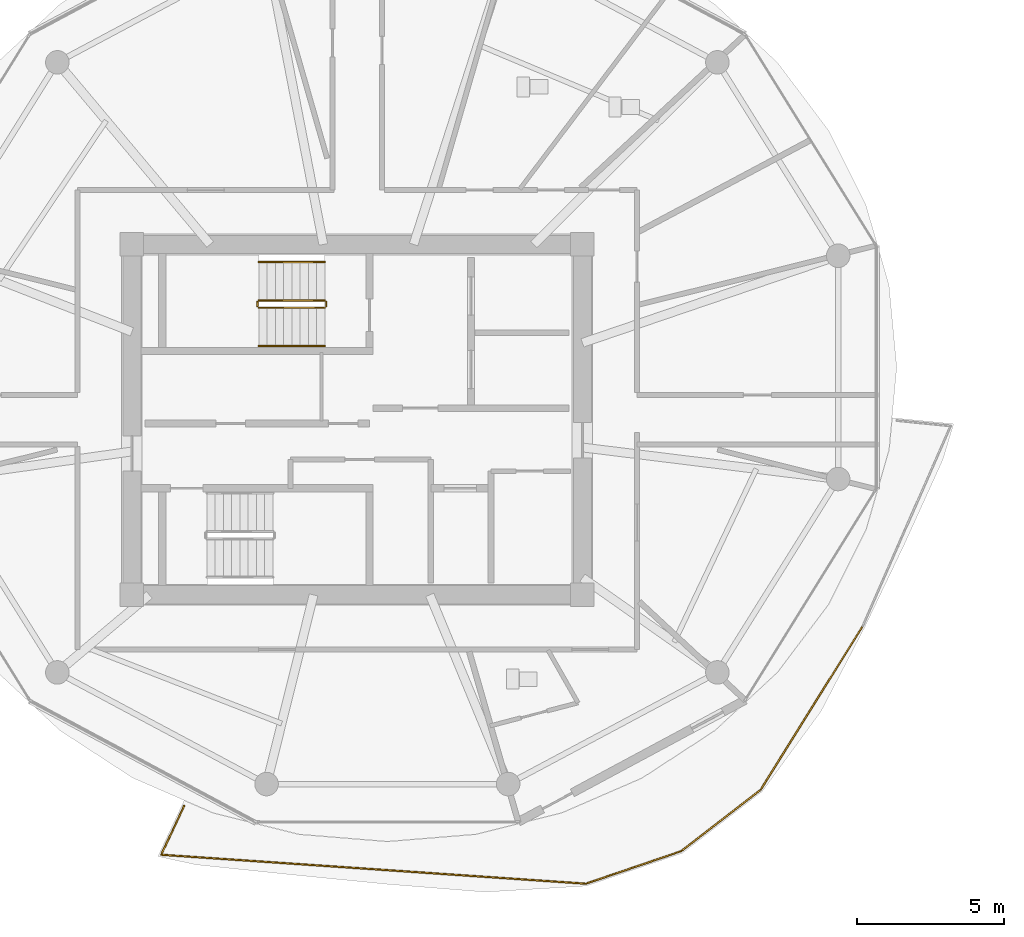
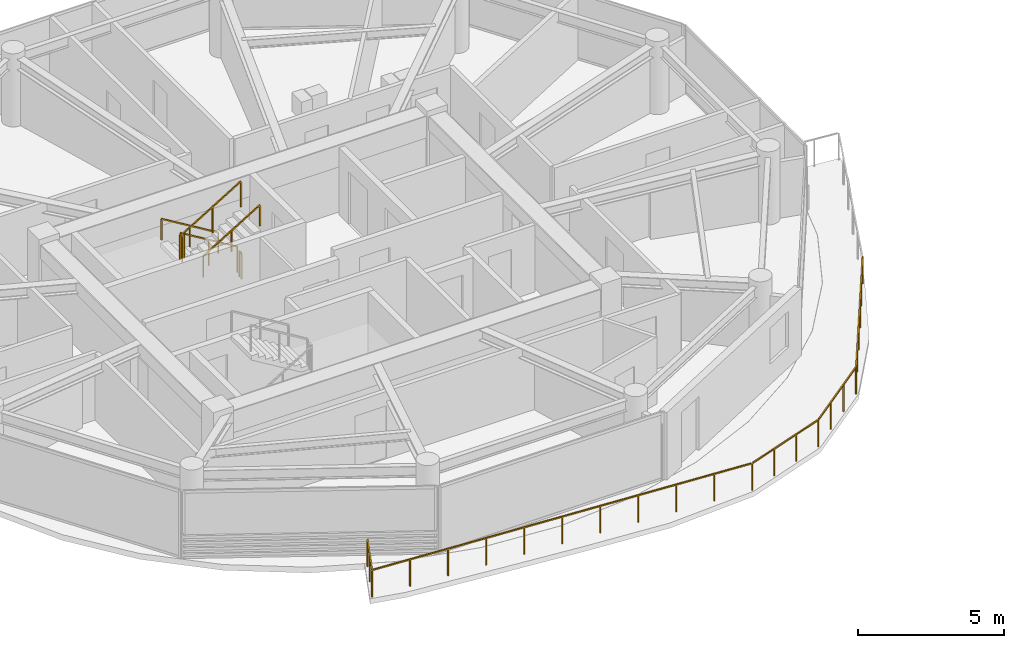
# One storey, part 19 of 23: 7 railings.
"""IFC4 building model written with IfcOpenShell, lengths in metres."""

from ifc_helpers import new_model, si_unit, direction, frame, origin, origin_2d, place, context, subcontext, project, spatial, rectangle, extrude, material, type_object, element, save


model = new_model("IFC4")

# Units and contexts
model_context = context("Model", 3, precision=1e-05, world=origin(), true_north=direction((0.0, 1.0)))
body_context = subcontext(model_context, "Body", "Model", "MODEL_VIEW")
ifc_project = project(units=[si_unit("LENGTHUNIT", "METRE"), si_unit("AREAUNIT", "SQUARE_METRE"), si_unit("VOLUMEUNIT", "CUBIC_METRE"), si_unit("PLANEANGLEUNIT", "RADIAN"), si_unit("MASSUNIT", "GRAM", prefix="KILO")], contexts=[model_context])

# Site, building, storey
site_placement = place(None, origin())
site = spatial("IfcSite", under=ifc_project, at=site_placement, CompositionType="ELEMENT")
building_placement = place(site_placement, origin())
building = spatial("IfcBuilding", under=site, at=building_placement, Name="Norrkilde Senior Care Towers", CompositionType="ELEMENT")
storey_placement = place(building_placement, frame((0.0, 0.0, 177.0)))
storey = spatial("IfcBuildingStorey", under=building, at=storey_placement, Name="L55", CompositionType="ELEMENT", Elevation=177.0)

# Railings
ifc_material_1 = material(Name="Anodised Aluminium", Category="aluminium")
railing_type_1 = type_object("IfcRailingType", Name="Balcony Swirl Ribbon Guardrail 1150", PredefinedType="GUARDRAIL", material=ifc_material_1)
railing_1_placement = place(storey_placement, frame((-10.828857421875, -7.00537109375, 0.0)))
element("IfcRailing", 1, at=railing_1_placement, inside=storey, type_object=railing_type_1, Name="L55 Perimeter Safety Guard 03", PredefinedType="GUARDRAIL", context=body_context, shape_type="SweptSolid", body=[
    extrude(rectangle(XDim=0.048095703125, YDim=0.048095703125, at=origin_2d()), frame((0.0, 0.0, 1.1259765625), z_axis=(-0.529111700093, -0.848552183914, 0.0), x_axis=(0.848552183914, -0.529111700093, 0.0)), (0.0, 0.0, 1.0), 6.515869140625),
    extrude(rectangle(XDim=0.048095703125, YDim=0.048095703125, at=origin_2d()), frame((-3.50146484375, -5.588623046875, 1.1259765625), z_axis=(-0.791125643584, -0.611653673302, 0.0), x_axis=(0.611653673302, -0.791125643584, 0.0)), (0.0, 0.0, 1.0), 3.32177734375),
    extrude(rectangle(XDim=0.048095703125, YDim=0.048095703125, at=origin_2d()), frame((-6.200439453125, -7.65869140625, 1.1259765625), z_axis=(-0.946232316258, -0.323487872523, 0.0), x_axis=(0.323487872523, -0.946232316258, 0.0)), (0.0, 0.0, 1.0), 3.343994140625),
    extrude(rectangle(XDim=0.048095703125, YDim=0.048095703125, at=origin_2d()), frame((-9.444091796875, -8.7509765625, 1.1259765625), z_axis=(-0.997683822916, 0.068021978007, 0.0), x_axis=(-0.068021978007, -0.997683822916, 0.0)), (0.0, 0.0, 1.0), 14.375244140625),
    extrude(rectangle(XDim=0.048095703125, YDim=0.048095703125, at=origin_2d()), frame((-23.8095703125, -7.733154296875, 1.1259765625), z_axis=(0.425005447738, 0.905190791708, 0.0), x_axis=(-0.905190791708, 0.425005447738, 0.0)), (0.0, 0.0, 1.0), 1.786376953125),
    extrude(rectangle(XDim=0.0419921875, YDim=0.0419921875, at=origin_2d()), origin(), (0.0, 0.0, 1.0), 1.099853515625),
    extrude(rectangle(XDim=0.0419921875, YDim=0.0419921875, at=origin_2d()), frame((-0.69384765625, -1.11279296875, 0.0)), (0.0, 0.0, 1.0), 1.099853515625),
    extrude(rectangle(XDim=0.0419921875, YDim=0.0419921875, at=origin_2d()), frame((-1.3876953125, -2.2255859375, 0.0)), (0.0, 0.0, 1.0), 1.099853515625),
    extrude(rectangle(XDim=0.0419921875, YDim=0.0419921875, at=origin_2d()), frame((-2.08154296875, -3.338134765625, 0.0)), (0.0, 0.0, 1.0), 1.099853515625),
    extrude(rectangle(XDim=0.0419921875, YDim=0.0419921875, at=origin_2d()), frame((-2.775390625, -4.450927734375, 0.0)), (0.0, 0.0, 1.0), 1.099853515625),
    extrude(rectangle(XDim=0.0419921875, YDim=0.0419921875, at=origin_2d()), frame((-3.46923828125, -5.563720703125, 0.0)), (0.0, 0.0, 1.0), 1.099853515625),
    extrude(rectangle(XDim=0.0419921875, YDim=0.0419921875, at=origin_2d()), frame((-4.36669921875, -6.257568359375, 0.0)), (0.0, 0.0, 1.0), 1.099853515625),
    extrude(rectangle(XDim=0.0419921875, YDim=0.0419921875, at=origin_2d()), frame((-5.264404296875, -6.95166015625, 0.0)), (0.0, 0.0, 1.0), 1.099853515625),
    extrude(rectangle(XDim=0.0419921875, YDim=0.0419921875, at=origin_2d()), frame((-6.161865234375, -7.6455078125, 0.0)), (0.0, 0.0, 1.0), 1.099853515625),
    extrude(rectangle(XDim=0.0419921875, YDim=0.0419921875, at=origin_2d()), frame((-7.242431640625, -8.014892578125, 0.0)), (0.0, 0.0, 1.0), 1.099853515625),
    extrude(rectangle(XDim=0.0419921875, YDim=0.0419921875, at=origin_2d()), frame((-8.32275390625, -8.38427734375, 0.0)), (0.0, 0.0, 1.0), 1.099853515625),
    extrude(rectangle(XDim=0.0419921875, YDim=0.0419921875, at=origin_2d()), frame((-9.4033203125, -8.753662109375, 0.0)), (0.0, 0.0, 1.0), 1.099853515625),
    extrude(rectangle(XDim=0.0419921875, YDim=0.0419921875, at=origin_2d()), frame((-10.845703125, -8.6552734375, 0.0)), (0.0, 0.0, 1.0), 1.099853515625),
    extrude(rectangle(XDim=0.0419921875, YDim=0.0419921875, at=origin_2d()), frame((-12.2880859375, -8.556884765625, 0.0)), (0.0, 0.0, 1.0), 1.099853515625),
    extrude(rectangle(XDim=0.0419921875, YDim=0.0419921875, at=origin_2d()), frame((-13.73046875, -8.458740234375, 0.0)), (0.0, 0.0, 1.0), 1.099853515625),
    extrude(rectangle(XDim=0.0419921875, YDim=0.0419921875, at=origin_2d()), frame((-15.1728515625, -8.3603515625, 0.0)), (0.0, 0.0, 1.0), 1.099853515625),
    extrude(rectangle(XDim=0.0419921875, YDim=0.0419921875, at=origin_2d()), frame((-16.615234375, -8.261962890625, 0.0)), (0.0, 0.0, 1.0), 1.099853515625),
    extrude(rectangle(XDim=0.0419921875, YDim=0.0419921875, at=origin_2d()), frame((-18.057373046875, -8.16357421875, 0.0)), (0.0, 0.0, 1.0), 1.099853515625),
    extrude(rectangle(XDim=0.0419921875, YDim=0.0419921875, at=origin_2d()), frame((-19.499755859375, -8.065185546875, 0.0)), (0.0, 0.0, 1.0), 1.099853515625),
    extrude(rectangle(XDim=0.0419921875, YDim=0.0419921875, at=origin_2d()), frame((-20.942138671875, -7.967041015625, 0.0)), (0.0, 0.0, 1.0), 1.099853515625),
    extrude(rectangle(XDim=0.0419921875, YDim=0.0419921875, at=origin_2d()), frame((-22.384521484375, -7.86865234375, 0.0)), (0.0, 0.0, 1.0), 1.099853515625),
    extrude(rectangle(XDim=0.0419921875, YDim=0.0419921875, at=origin_2d()), frame((-23.826904296875, -7.770263671875, 0.0)), (0.0, 0.0, 1.0), 1.099853515625),
    extrude(rectangle(XDim=0.0419921875, YDim=0.0419921875, at=origin_2d()), frame((-23.4384765625, -6.943359375, 0.0)), (0.0, 0.0, 1.0), 1.099853515625),
    extrude(rectangle(XDim=0.0419921875, YDim=0.0419921875, at=origin_2d()), frame((-23.05029296875, -6.1162109375, 0.0)), (0.0, 0.0, 1.0), 1.099853515625),
])
ifc_material_2 = material(Name="Stainless Steel", Category="steel")
railing_type_2 = type_object("IfcRailingType", Name="Stair and Terrace Guardrail 1100", PredefinedType="GUARDRAIL", material=ifc_material_2)
railing_2_placement = place(storey_placement, frame((-29.10009765625, 4.050048828125, 0.16943359375)))
element("IfcRailing", 2, at=railing_2_placement, inside=storey, type_object=railing_type_2, Name="L55 ST-W1 stair guard 1", PredefinedType="GUARDRAIL", context=body_context, shape_type="SweptSolid", body=[
    extrude(rectangle(XDim=0.048095703125, YDim=0.048095703125, at=origin_2d()), frame((0.0, 0.0, 1.076171875), z_axis=(-0.855553338991, 0.0, 0.51771467445), x_axis=(0.0, -1.0, 0.0)), (0.0, 0.0, 1.0), 2.6181640625),
    extrude(rectangle(XDim=0.0419921875, YDim=0.0419921875, at=origin_2d()), origin(), (0.0, 0.0, 1.0), 1.050048828125),
    extrude(rectangle(XDim=0.0419921875, YDim=0.0419921875, at=origin_2d()), frame((-1.1201171875, 0.0, 0.677734375)), (0.0, 0.0, 1.0), 1.050048828125),
    extrude(rectangle(XDim=0.0419921875, YDim=0.0419921875, at=origin_2d()), frame((-2.239990234375, 0.0, 1.35546875)), (0.0, 0.0, 1.0), 1.050048828125),
])
railing_3_placement = place(storey_placement, frame((-31.389892578125, 4.0, 1.52490234375)))
element("IfcRailing", 3, at=railing_3_placement, inside=storey, type_object=railing_type_2, Name="L55 ST-W1 stair guard 2", PredefinedType="GUARDRAIL", context=body_context, shape_type="SweptSolid", body=[
    extrude(rectangle(XDim=0.048095703125, YDim=0.048095703125, at=origin_2d()), frame((0.0, 0.0, 1.076171875), z_axis=(0.0, -1.0, 0.0), x_axis=(1.0, 0.0, 0.0)), (0.0, 0.0, 1.0), 0.14990234375),
    extrude(rectangle(XDim=0.0419921875, YDim=0.0419921875, at=origin_2d()), origin(), (0.0, 0.0, 1.0), 1.050048828125),
    extrude(rectangle(XDim=0.0419921875, YDim=0.0419921875, at=origin_2d()), frame((0.0, -0.14990234375, 0.0)), (0.0, 0.0, 1.0), 1.050048828125),
])
railing_4_placement = place(storey_placement, frame((-31.340087890625, 3.800048828125, 1.6943359375)))
element("IfcRailing", 4, at=railing_4_placement, inside=storey, type_object=railing_type_2, Name="L55 ST-W1 stair guard 3", PredefinedType="GUARDRAIL", context=body_context, shape_type="SweptSolid", body=[
    extrude(rectangle(XDim=0.048095703125, YDim=0.048095703125, at=origin_2d()), frame((0.0, 0.0, 1.076171875), z_axis=(0.855512035549, 0.0, 0.517782924622), x_axis=(0.0, 1.0, 0.0)), (0.0, 0.0, 1.0), 2.618408203125),
    extrude(rectangle(XDim=0.0419921875, YDim=0.0419921875, at=origin_2d()), origin(), (0.0, 0.0, 1.0), 1.050048828125),
    extrude(rectangle(XDim=0.0419921875, YDim=0.0419921875, at=origin_2d()), frame((1.1201171875, 0.0, 0.677734375)), (0.0, 0.0, 1.0), 1.050048828125),
    extrude(rectangle(XDim=0.0419921875, YDim=0.0419921875, at=origin_2d()), frame((2.239990234375, 0.0, 1.355712890625)), (0.0, 0.0, 1.0), 1.050048828125),
])
railing_5_placement = place(storey_placement, frame((-29.050048828125, 4.0, 0.0)))
element("IfcRailing", 5, at=railing_5_placement, inside=storey, type_object=railing_type_2, Name="L55 ST-W1 stair guard 4", PredefinedType="GUARDRAIL", context=body_context, shape_type="SweptSolid", body=[
    extrude(rectangle(XDim=0.048095703125, YDim=0.048095703125, at=origin_2d()), frame((0.0, 0.0, 1.076171875), z_axis=(0.0, -1.0, 0.0), x_axis=(1.0, 0.0, 0.0)), (0.0, 0.0, 1.0), 0.14990234375),
    extrude(rectangle(XDim=0.0419921875, YDim=0.0419921875, at=origin_2d()), origin(), (0.0, 0.0, 1.0), 1.050048828125),
    extrude(rectangle(XDim=0.0419921875, YDim=0.0419921875, at=origin_2d()), frame((0.0, -0.14990234375, 0.0)), (0.0, 0.0, 1.0), 1.050048828125),
])
ifc_material_3 = material(Name="Nordic Ash Timber", Category="wood")
railing_type_3 = type_object("IfcRailingType", Name="Wall and Stair Handrail 900", PredefinedType="HANDRAIL", material=ifc_material_3)
railing_6_placement = place(storey_placement, frame((-29.10009765625, 5.35009765625, 0.16943359375)))
element("IfcRailing", 6, at=railing_6_placement, inside=storey, type_object=railing_type_3, Name="L55 ST-W1 stair handrail 1", PredefinedType="HANDRAIL", context=body_context, shape_type="SweptSolid", body=[
    extrude(rectangle(XDim=0.048095703125, YDim=0.048095703125, at=origin_2d()), frame((0.0, 0.0, 0.8759765625), z_axis=(-0.855553338991, 0.0, 0.51771467445), x_axis=(0.0, -1.0, 0.0)), (0.0, 0.0, 1.0), 2.6181640625),
    extrude(rectangle(XDim=0.0419921875, YDim=0.0419921875, at=origin_2d()), origin(), (0.0, 0.0, 1.0), 0.849853515625),
    extrude(rectangle(XDim=0.0419921875, YDim=0.0419921875, at=origin_2d()), frame((-1.1201171875, 0.0, 0.677734375)), (0.0, 0.0, 1.0), 0.849853515625),
    extrude(rectangle(XDim=0.0419921875, YDim=0.0419921875, at=origin_2d()), frame((-2.239990234375, 0.0, 1.35546875)), (0.0, 0.0, 1.0), 0.849853515625),
])
railing_7_placement = place(storey_placement, frame((-31.340087890625, 2.5, 1.6943359375)))
element("IfcRailing", 7, at=railing_7_placement, inside=storey, type_object=railing_type_3, Name="L55 ST-W1 stair handrail 2", PredefinedType="HANDRAIL", context=body_context, shape_type="SweptSolid", body=[
    extrude(rectangle(XDim=0.048095703125, YDim=0.048095703125, at=origin_2d()), frame((0.0, 0.0, 0.8759765625), z_axis=(0.855512035549, 0.0, 0.517782924622), x_axis=(0.0, 1.0, 0.0)), (0.0, 0.0, 1.0), 2.618408203125),
    extrude(rectangle(XDim=0.0419921875, YDim=0.0419921875, at=origin_2d()), origin(), (0.0, 0.0, 1.0), 0.849853515625),
    extrude(rectangle(XDim=0.0419921875, YDim=0.0419921875, at=origin_2d()), frame((1.1201171875, 0.0, 0.677734375)), (0.0, 0.0, 1.0), 0.849853515625),
    extrude(rectangle(XDim=0.0419921875, YDim=0.0419921875, at=origin_2d()), frame((2.239990234375, 0.0, 1.355712890625)), (0.0, 0.0, 1.0), 0.849853515625),
])

save(model, "model.ifc")
